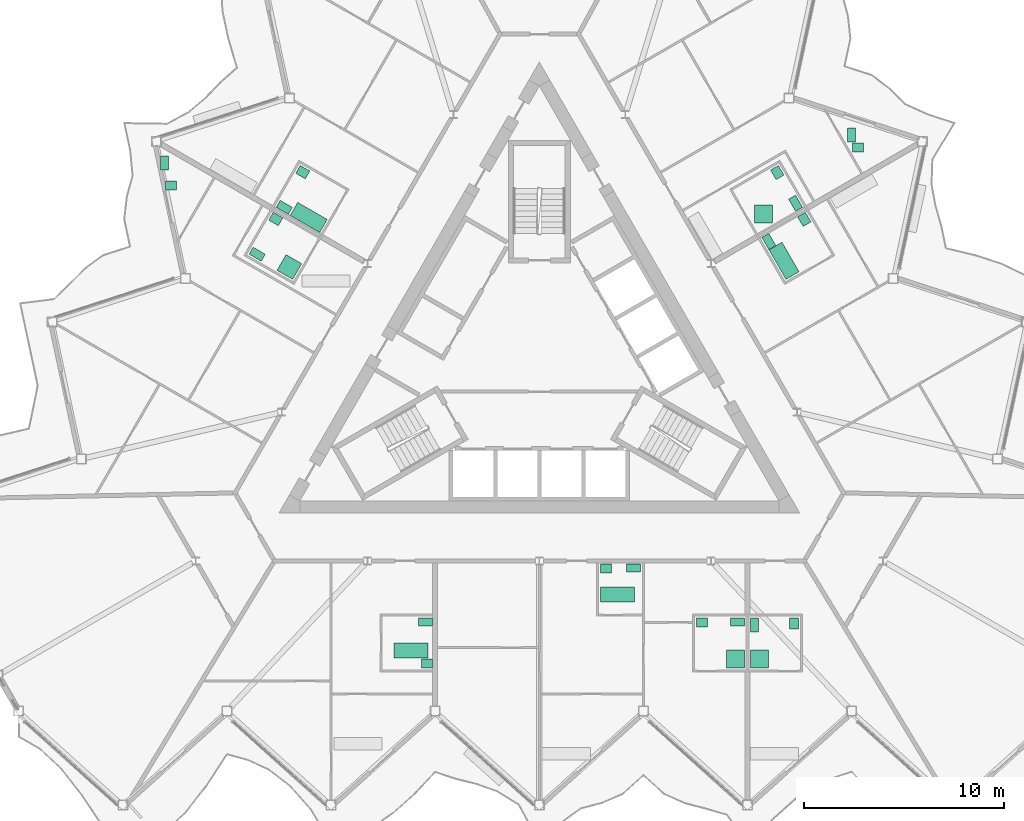
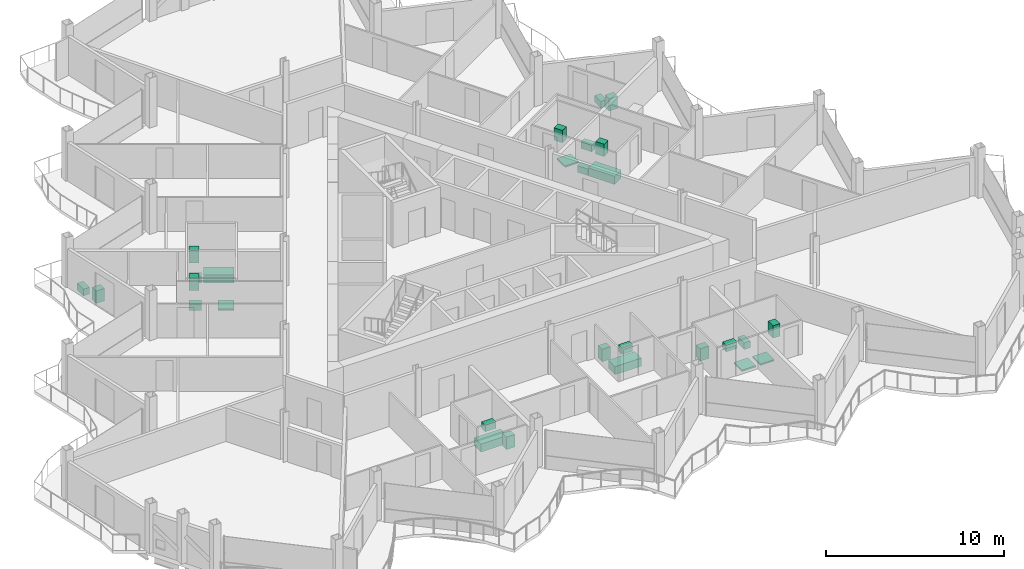
# One storey, part 24 of 25: 28 sanitary terminals.
"""IFC4 building model written with IfcOpenShell, lengths in metres."""

import ifcopenshell
import ifcopenshell.guid

model = None  # the IFC model being written
_history = None  # IfcOwnerHistory: only IFC2X3 demands one
_inside = {}  # id of a spatial element -> (the spatial element, [elements in it])
_under = {}  # id of a project, library or spatial element -> (it, [spatial elements below it])
_declared = {}  # id of a project -> (the project, [libraries it declares])
_typed = {}  # id of a type object -> (the type object, [elements of that type])
_made_of = {}  # id of a material, layer set ... -> (it, [elements and type objects made of it])


def new_model(schema):
    """Start an empty IFC model of exactly this schema.

    Asked for "IFC4X3", IfcOpenShell would pick the latest addendum, in which some entities
    have other attributes; the version numbers below select the first issue.
    IFC2X3 requires an IfcOwnerHistory on every rooted entity: one is made here for all.
    """
    global model, _history
    if schema == "IFC4X3":
        model = ifcopenshell.file(schema_version=(4, 3, 0, 0))
    else:
        model = ifcopenshell.file(schema=schema)
    _inside.clear()
    _under.clear()
    _declared.clear()
    _typed.clear()
    _made_of.clear()
    _history = None
    if model.schema == "IFC2X3":
        org = make("IfcOrganization", Name="unknown")
        user = make(
            "IfcPersonAndOrganization",
            ThePerson=make("IfcPerson", FamilyName="unknown"),
            TheOrganization=org,
        )
        app = make(
            "IfcApplication",
            ApplicationDeveloper=org,
            Version="unknown",
            ApplicationFullName="unknown",
            ApplicationIdentifier="unknown",
        )
        _history = make(
            "IfcOwnerHistory",
            OwningUser=user,
            OwningApplication=app,
            ChangeAction="ADDED",
            CreationDate=0,
        )
    return model


def make(cls, **values):
    """One entity of the class cls with the attributes given. An attribute that is None is left unset."""
    return model.create_entity(
        cls, **{name: value for name, value in values.items() if value is not None}
    )


def rooted(cls, **values):
    """An entity with a GlobalId (a new one), such as an element, a storey or a relation."""
    return make(cls, GlobalId=ifcopenshell.guid.new(), OwnerHistory=_history, **values)


def si_unit(unit_type, name, prefix=None):
    """IfcSIUnit, for example si_unit("LENGTHUNIT", "METRE", prefix="MILLI")."""
    return make("IfcSIUnit", UnitType=unit_type, Prefix=prefix, Name=name)


def assignment(units):
    """IfcUnitAssignment: the units of a project."""
    return None if units is None else make("IfcUnitAssignment", Units=units)


def point(xyz):
    """IfcCartesianPoint."""
    return None if xyz is None else make("IfcCartesianPoint", Coordinates=xyz)


def direction(xyz):
    """IfcDirection."""
    return None if xyz is None else make("IfcDirection", DirectionRatios=xyz)


def frame(location, z_axis=None, x_axis=None):
    """IfcAxis2Placement3D, a coordinate frame: its origin and axes. An axis left out is left unset."""
    return make(
        "IfcAxis2Placement3D",
        Location=point(location),
        Axis=direction(z_axis),
        RefDirection=direction(x_axis),
    )


def frame_2d(location, x_axis=None):
    """IfcAxis2Placement2D, a coordinate frame in the plane: its origin and x axis."""
    return make(
        "IfcAxis2Placement2D", Location=point(location), RefDirection=direction(x_axis)
    )


def origin():
    """The frame at (0, 0, 0) with its axes left unset."""
    return frame((0.0, 0.0, 0.0))


def origin_2d():
    """The frame at (0, 0) in the plane with its x axis left unset."""
    return frame_2d((0.0, 0.0))


def place(relative_to, where):
    """IfcLocalPlacement: puts the frame where relative to a parent placement (None: the world)."""
    return make(
        "IfcLocalPlacement", PlacementRelTo=relative_to, RelativePlacement=where
    )


def context(
    kind, dimensions, precision=None, world=None, true_north=None, identifier=None
):
    """IfcGeometricRepresentationContext, for example the 3D "Model" context."""
    return make(
        "IfcGeometricRepresentationContext",
        ContextIdentifier=identifier,
        ContextType=kind,
        CoordinateSpaceDimension=dimensions,
        Precision=precision,
        WorldCoordinateSystem=world,
        TrueNorth=true_north,
    )


def subcontext(parent, identifier, kind, view, scale=None):
    """IfcGeometricRepresentationSubContext, for example "Body" below "Model"."""
    return make(
        "IfcGeometricRepresentationSubContext",
        ContextIdentifier=identifier,
        ContextType=kind,
        ParentContext=parent,
        TargetScale=scale,
        TargetView=view,
    )


def project(units=None, contexts=None):
    """IfcProject with its units and contexts."""
    return rooted(
        "IfcProject",
        Name="project",
        RepresentationContexts=contexts,
        UnitsInContext=assignment(units),
    )


def spatial(cls, under=None, at=None, **own):
    """A site, building, storey or space (cls), placed at a placement, below another one or the project."""
    s = rooted(cls, ObjectPlacement=at, **own)
    if under is not None:
        _under.setdefault(under.id(), (under, []))[1].append(s)
    return s


def profile(cls, at=None, kind="AREA", **sizes):
    """A parametric profile (cls). Its sizes go by their IFC names, for example OverallWidth=200.0."""
    return make(cls, ProfileType=kind, Position=at, **sizes)


def rectangle(**sizes):
    """IfcRectangleProfileDef."""
    return profile("IfcRectangleProfileDef", **sizes)


def extrude(swept, where, along, depth):
    """IfcExtrudedAreaSolid: the profile swept, set in the frame where, extruded along a direction by depth."""
    return make(
        "IfcExtrudedAreaSolid",
        SweptArea=swept,
        Position=where,
        ExtrudedDirection=direction(along),
        Depth=depth,
    )


def shape(context_of_items, identifier, shape_type, items):
    """IfcShapeRepresentation: the items that make up one representation, for example the "Body"."""
    return make(
        "IfcShapeRepresentation",
        ContextOfItems=context_of_items,
        RepresentationIdentifier=identifier,
        RepresentationType=shape_type,
        Items=items,
    )


def material(Name=None, Category=None):
    """IfcMaterial."""
    return make("IfcMaterial", Name=Name, Category=Category)


def made_of(thing, what):
    """Note that an element or type object is made of a material, layer set ...; save() writes the relation."""
    if what is not None:
        _made_of.setdefault(what.id(), (what, []))[1].append(thing)
    return thing


def type_object(cls, material=None, **own):
    """A type object (cls), such as IfcWallType, which elements share."""
    return made_of(rooted(cls, **own), material)


def element(
    cls,
    number,
    at=None,
    inside=None,
    cuts=None,
    type_object=None,
    material=None,
    context=None,
    identifier="Body",
    shape_type=None,
    held_by="IfcProductDefinitionShape",
    body=None,
    shapes=None,
    **own,
):
    """One element of the class cls, such as IfcWall. Its Tag is "e" and its number.

    at: its placement. inside: the storey or other place that contains it. cuts: it is an
    opening in that element (IfcRelVoidsElement). A single representation is given by context,
    identifier, shape_type and body (its items); several are given by shapes. held_by: the class
    of the entity that holds the representations. save() writes the other relations.
    """
    e = rooted(cls, Tag="e%d" % number, ObjectPlacement=at, **own)
    if body is not None:
        shapes = [shape(context, identifier, shape_type, body)]
    if shapes is not None:
        e.Representation = make(held_by, Representations=shapes)
    if inside is not None:
        _inside.setdefault(inside.id(), (inside, []))[1].append(e)
    if cuts is not None:
        rooted(
            "IfcRelVoidsElement", RelatingBuildingElement=cuts, RelatedOpeningElement=e
        )
    if type_object is not None:
        _typed.setdefault(type_object.id(), (type_object, []))[1].append(e)
    return made_of(e, material)


def aggregate(whole, parts):
    """IfcRelAggregates: a whole, such as a stair, and the parts it consists of."""
    return rooted("IfcRelAggregates", RelatingObject=whole, RelatedObjects=parts)


def save(model, path):
    """Write the relations noted so far, then the file.

    IfcRelAggregates (storeys below a building ...), IfcRelContainedInSpatialStructure (elements
    in a storey), IfcRelDefinesByType, IfcRelAssociatesMaterial and IfcRelDeclares: one each for
    every whole, place, type object, material and project.
    """
    for whole, parts in _under.values():
        aggregate(whole, parts)
    for where, things in _inside.values():
        rooted(
            "IfcRelContainedInSpatialStructure",
            RelatedElements=things,
            RelatingStructure=where,
        )
    for kind, things in _typed.values():
        rooted("IfcRelDefinesByType", RelatedObjects=things, RelatingType=kind)
    for what, things in _made_of.values():
        rooted("IfcRelAssociatesMaterial", RelatedObjects=things, RelatingMaterial=what)
    for by, libraries in _declared.values():
        rooted("IfcRelDeclares", RelatingContext=by, RelatedDefinitions=libraries)
    model.write(path)


model = new_model("IFC4")

# Units and contexts
model_context = context("Model", 3, precision=1e-05, world=origin(), true_north=direction((0.0, 1.0)))
body_context = subcontext(model_context, "Body", "Model", "MODEL_VIEW")
ifc_project = project(units=[si_unit("LENGTHUNIT", "METRE"), si_unit("AREAUNIT", "SQUARE_METRE"), si_unit("VOLUMEUNIT", "CUBIC_METRE"), si_unit("PLANEANGLEUNIT", "RADIAN"), si_unit("MASSUNIT", "GRAM", prefix="KILO")], contexts=[model_context])

# Site, building, storey
site_placement = place(None, origin())
site = spatial("IfcSite", under=ifc_project, at=site_placement, CompositionType="ELEMENT")
building_placement = place(site_placement, origin())
building = spatial("IfcBuilding", under=site, at=building_placement, Name="Cormorant Prow Tower", CompositionType="ELEMENT")
storey_placement = place(building_placement, frame((0.0, 0.0, 395.0)))
storey = spatial("IfcBuildingStorey", under=building, at=storey_placement, Name="L90", CompositionType="ELEMENT", Elevation=395.0)

# Sanitary terminals
ifc_material_1 = material(Name="Vitreous china")
sanitary_terminal_type_1 = type_object("IfcSanitaryTerminalType", Name="Bath 1700x750", PredefinedType="BATH", material=ifc_material_1)
for number, where, z_axis, x_axis, name in (
    (1, (-6.405029296875, -14.385498046875, 0.0), (0.0, 0.0, 1.0), (1.0, 0.0, 0.0), "Bath"),
    (2, (3.89501953125, -11.585693359375, 0.0), (0.0, 0.0, 1.0), (1.0, 0.0, 0.0), "Bath"),
    (3, (12.219482421875, 5.086181640625, 0.0), (0.0, 0.0, 1.0), (-0.5, 0.866025403784, 0.0), "Bath"),
    (4, (-11.518310546875, 7.25048828125, 0.0), (0.0, 0.0, 1.0), (-0.866025403784, 0.5, 0.0), "Bath"),
):
    element("IfcSanitaryTerminal", number, at=place(storey_placement, frame(where, z_axis=z_axis, x_axis=x_axis)), inside=storey, type_object=sanitary_terminal_type_1, Name=name, PredefinedType="BATH", context=body_context, shape_type="SweptSolid", body=[
        extrude(rectangle(XDim=1.699951171875, YDim=0.75, at=origin_2d()), origin(), (0.0, 0.0, 1.0), 0.550048828125),
    ])
ifc_material_2 = material(Name="Vitreous china")
sanitary_terminal_type_2 = type_object("IfcSanitaryTerminalType", Name="Shower tray 900x900", PredefinedType="SHOWER", material=ifc_material_2)
for number, where, z_axis, x_axis, name in (
    (5, (9.804931640625, -14.810546875, 0.0), (0.0, 0.0, 1.0), (-1.0, 0.0, 0.0), "Shower tray"),
    (6, (10.9951171875, -14.810546875, 0.0), (0.0, 0.0, 1.0), (0.0, 1.0, 0.0), "Shower tray"),
    (7, (11.196533203125, 7.4326171875, 0.0), (0.0, 0.0, 1.0), (1.0, 0.0, 0.0), "Shower tray"),
    (8, (-12.484619140625, 4.77734375, 0.0), (0.0, 0.0, 1.0), (-0.866025403784, 0.5, 0.0), "Shower tray"),
):
    element("IfcSanitaryTerminal", number, at=place(storey_placement, frame(where, z_axis=z_axis, x_axis=x_axis)), inside=storey, type_object=sanitary_terminal_type_2, Name=name, PredefinedType="SHOWER", context=body_context, shape_type="SweptSolid", body=[
        extrude(rectangle(XDim=0.89990234375, YDim=0.89990234375, at=origin_2d()), origin(), (0.0, 0.0, 1.0), 0.10009765625),
    ])
ifc_material_3 = material(Name="Vitreous china")
sanitary_terminal_type_3 = type_object("IfcSanitaryTerminalType", Name="Wash basin 550x450", PredefinedType="WASHHANDBASIN", material=ifc_material_3)
for number, where, z_axis, x_axis, name in (
    (9, (-5.6201171875, -15.03564453125, 0.0), (0.0, 0.0, 1.0), (-1.0, 0.0, 0.0), "Wash basin"),
    (10, (3.320068359375, -10.275634765625, 0.0), (0.0, 0.0, 1.0), (1.0, 0.0, 0.0), "Wash basin"),
    (11, (8.1201171875, -12.9755859375, 0.0), (0.0, 0.0, 1.0), (1.0, 0.0, 0.0), "Wash basin"),
    (12, (12.72998046875, -13.025634765625, 0.0), (0.0, 0.0, 1.0), (0.0, -1.0, 0.0), "Wash basin"),
    (13, (13.231201171875, 7.154052734375, 0.0), (0.0, 0.0, 1.0), (0.5, -0.866025403784, 0.0), "Wash basin"),
    (14, (15.910400390625, 10.74072265625, 0.0), (0.0, 0.0, 1.0), (1.0, 0.0, 0.0), "Wash basin"),
    (15, (11.881103515625, 9.4921875, 0.0), (0.0, 0.0, 1.0), (0.5, -0.866025403784, 0.0), "Wash basin"),
    (16, (-11.81298828125, 9.510498046875, 0.0), (0.0, 0.0, 1.0), (0.866025403784, -0.5, 0.0), "Wash basin"),
    (17, (-18.390625, 8.837890625, 0.0), (0.0, 0.0, 1.0), (1.0, 0.0, 0.0), "Wash basin"),
    (18, (-13.162841796875, 7.17236328125, 0.0), (0.0, 0.0, 1.0), (0.866025403784, -0.5, 0.0), "Wash basin"),
):
    element("IfcSanitaryTerminal", number, at=place(storey_placement, frame(where, z_axis=z_axis, x_axis=x_axis)), inside=storey, type_object=sanitary_terminal_type_3, Name=name, PredefinedType="WASHHANDBASIN", context=body_context, shape_type="SweptSolid", body=[
        extrude(rectangle(XDim=0.550048828125, YDim=0.449951171875, at=origin_2d()), origin(), (0.0, 0.0, 1.0), 0.85009765625),
    ])
ifc_material_4 = material(Name="Vitreous china")
sanitary_terminal_type_4 = type_object("IfcSanitaryTerminalType", Name="Water closet 400x700", PredefinedType="WCSEAT", material=ifc_material_4)
for number, where, z_axis, x_axis, name in (
    (19, (-5.695068359375, -12.95068359375, 0.0), (0.0, 0.0, 1.0), (0.0, -1.0, 0.0), "Water closet"),
    (20, (4.705078125, -10.25048828125, 0.0), (0.0, 0.0, 1.0), (0.0, -1.0, 0.0), "Water closet"),
    (21, (9.905029296875, -12.95068359375, 0.0), (0.0, 0.0, 1.0), (0.0, -1.0, 0.0), "Water closet"),
    (22, (10.7451171875, -13.1005859375, 0.0), (0.0, 0.0, 1.0), (1.0, 0.0, 0.0), "Water closet"),
    (23, (11.462890625, 6.046630859375, 0.0), (0.0, 0.0, 1.0), (0.866025403784, 0.5, 0.0), "Water closet"),
    (24, (15.58544921875, 11.36572265625, 0.0), (0.0, 0.0, 1.0), (1.0, 0.0, 0.0), "Water closet"),
    (25, (12.79541015625, 7.958984375, 0.0), (0.0, 0.0, 1.0), (-0.866025403784, -0.5, 0.0), "Water closet"),
    (26, (-12.740478515625, 7.754150390625, 0.0), (0.0, 0.0, 1.0), (0.5, 0.866025403784, 0.0), "Water closet"),
    (27, (-18.7158203125, 9.962890625, 0.0), (0.0, 0.0, 1.0), (1.0, 0.0, 0.0), "Water closet"),
    (28, (-14.09033203125, 5.415771484375, 0.0), (0.0, 0.0, 1.0), (0.5, 0.866025403784, 0.0), "Water closet"),
):
    element("IfcSanitaryTerminal", number, at=place(storey_placement, frame(where, z_axis=z_axis, x_axis=x_axis)), inside=storey, type_object=sanitary_terminal_type_4, Name=name, PredefinedType="WCSEAT", context=body_context, shape_type="SweptSolid", body=[
        extrude(rectangle(XDim=0.39990234375, YDim=0.699951171875, at=origin_2d()), origin(), (0.0, 0.0, 1.0), 0.449951171875),
    ])

save(model, "model.ifc")
